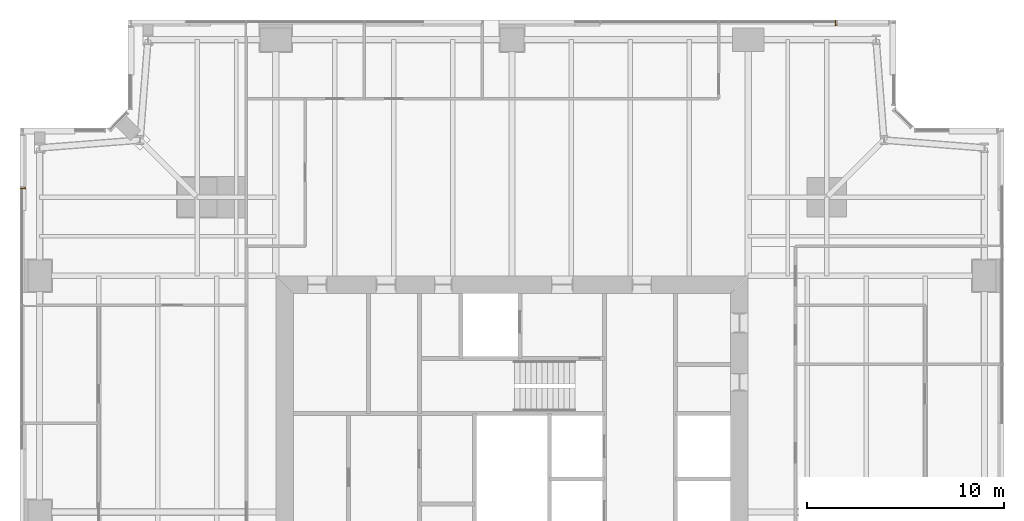
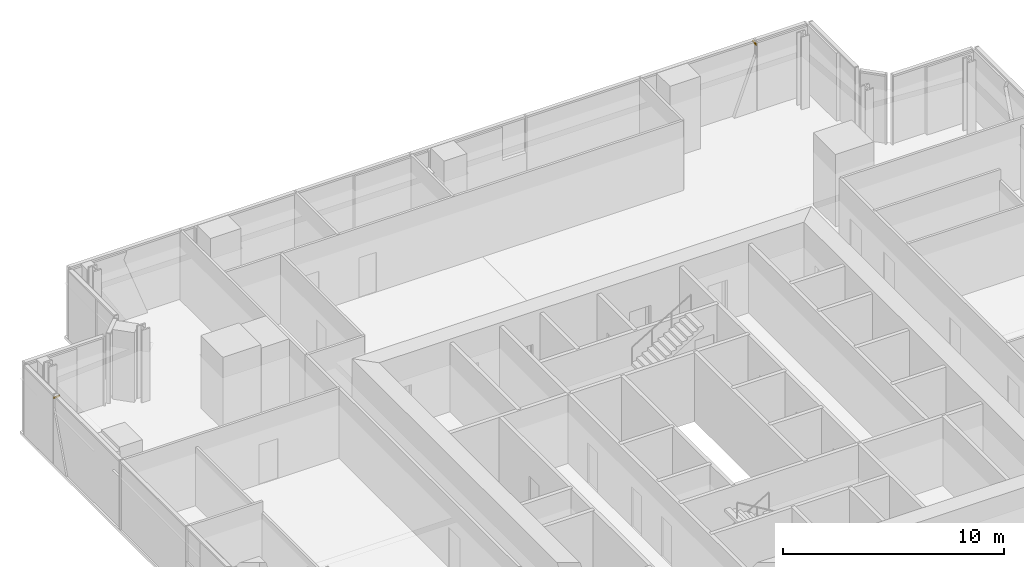
# One storey, part 16 of 16: 2 coverings.
"""IFC4 building model written with IfcOpenShell, lengths in metres."""

from ifc_helpers import new_model, si_unit, direction, frame, origin, place, context, subcontext, project, spatial, polyline, outline, extrude, material, layer, layer_set, type_object, element, save


model = new_model("IFC4")

# Units and contexts
model_context = context("Model", 3, precision=1e-05, world=origin(), true_north=direction((0.0, 1.0)))
body_context = subcontext(model_context, "Body", "Model", "MODEL_VIEW")
ifc_project = project(units=[si_unit("LENGTHUNIT", "METRE"), si_unit("AREAUNIT", "SQUARE_METRE"), si_unit("VOLUMEUNIT", "CUBIC_METRE"), si_unit("PLANEANGLEUNIT", "RADIAN"), si_unit("MASSUNIT", "GRAM", prefix="KILO")], contexts=[model_context])

# Site, building, storey
site_placement = place(None, origin())
site = spatial("IfcSite", under=ifc_project, at=site_placement, CompositionType="ELEMENT")
building_placement = place(site_placement, origin())
building = spatial("IfcBuilding", under=site, at=building_placement, Name="Fenwick Lantern Interchange", CompositionType="ELEMENT")
storey_placement = place(building_placement, frame((0.0, 0.0, 181.800048828125)))
storey = spatial("IfcBuildingStorey", under=building, at=storey_placement, Name="L42", CompositionType="ELEMENT", Elevation=181.800048828125)

# Coverings
ifc_material = material(Name="Granite cladding, warm grey flamed finish, on aluminium carrier frame", Category="masonry")
ifc_layer = layer(ifc_material, 0.300048828125)
ifc_layer_set = layer_set([ifc_layer], Name="BRACE CASING PANEL 300")
covering_type = type_object("IfcCoveringType", Name="BRACE CASING PANEL 300", PredefinedType="CLADDING", material=ifc_layer_set)
for number, where, z_axis, x_axis, name in (
    (1, (44.39990234375, 49.89990234375, 3.614501953125), (0.0, 0.0, 1.0), (-1.0, 0.0, 0.0), "Brace casing 09 bay 01b"),
    (2, (0.10009765625, 44.39990234375, 3.614501953125), (0.0, 0.0, 1.0), (0.0, -1.0, 0.0), "Brace casing 13 bay 01b"),
):
    element("IfcCovering", number, at=place(storey_placement, frame(where, z_axis=z_axis, x_axis=x_axis)), inside=storey, type_object=covering_type, Name=name, PredefinedType="CLADDING", context=body_context, shape_type="SweptSolid", body=[
        extrude(outline(polyline([(2.9326171875, 0.0), (2.987548828125, 0.135498046875), (2.9326171875, 0.135498046875), (2.9326171875, 0.0)])), frame((0.0, 0.2001953125, 0.0), z_axis=(0.0, -1.0, 0.0), x_axis=(1.0, 0.0, 0.0)), (0.0, 0.0, 1.0), 0.300048828125),
    ])

save(model, "model.ifc")
